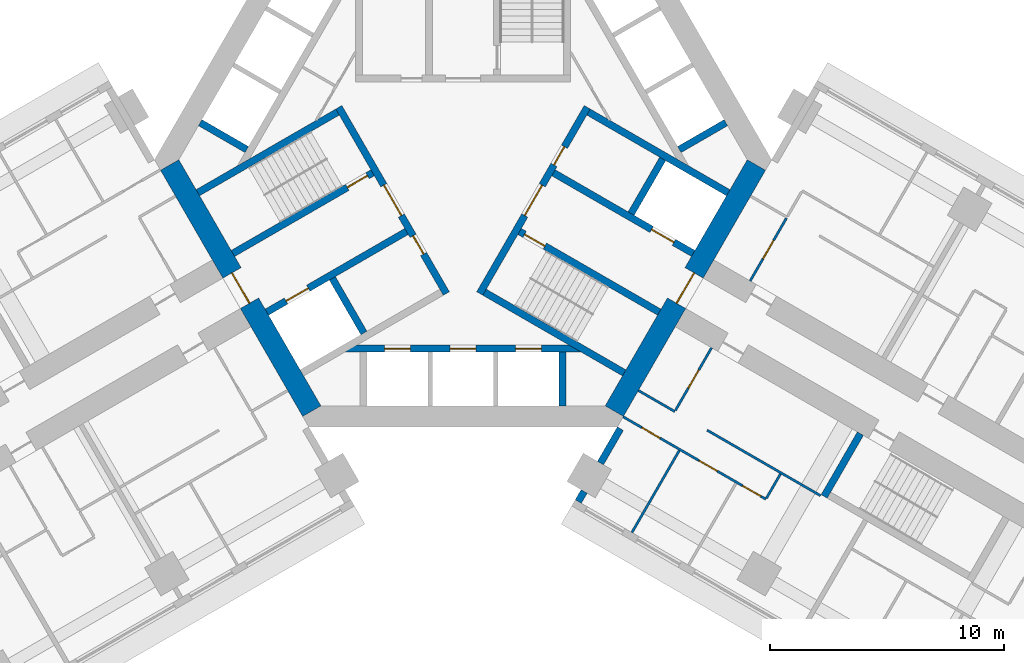
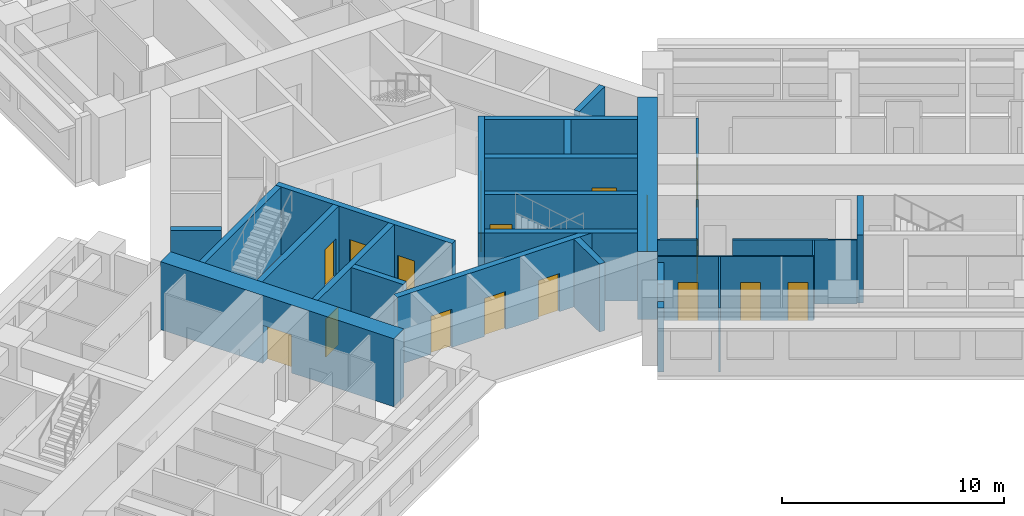
# One storey, part 7 of 16: 27 walls, 18 doors, 18 openings.
"""IFC4 building model written with IfcOpenShell, lengths in metres."""

from ifc_helpers import new_model, si_unit, direction, frame, frame_2d, origin, place, context, subcontext, project, spatial, rectangle, extrude, material, layer, layer_set, type_object, element, fill, save


model = new_model("IFC4")

# Units and contexts
model_context = context("Model", 3, precision=1e-05, world=origin(), true_north=direction((0.0, 1.0)))
body_context = subcontext(model_context, "Body", "Model", "MODEL_VIEW")
ifc_project = project(units=[si_unit("LENGTHUNIT", "METRE"), si_unit("AREAUNIT", "SQUARE_METRE"), si_unit("VOLUMEUNIT", "CUBIC_METRE"), si_unit("PLANEANGLEUNIT", "RADIAN"), si_unit("MASSUNIT", "GRAM", prefix="KILO")], contexts=[model_context])

# Site, building, storey
site_placement = place(None, origin())
site = spatial("IfcSite", under=ifc_project, at=site_placement, CompositionType="ELEMENT")
building_placement = place(site_placement, origin())
building = spatial("IfcBuilding", under=site, at=building_placement, Name="Impinga Residences", CompositionType="ELEMENT")
storey_placement = place(building_placement, frame((0.0, 0.0, 67.25)))
storey = spatial("IfcBuildingStorey", under=building, at=storey_placement, Name="L16", CompositionType="ELEMENT", Elevation=67.25)

# Walls
ifc_material_1 = material(Name="Terracotta rainscreen on blockwork", Category="masonry")
ifc_layer_1 = layer(ifc_material_1, 0.300048828125)
ifc_layer_set_1 = layer_set([ifc_layer_1], Name="EW1 external wall, terracotta rainscreen on blockwork 300")
wall_type_1 = type_object("IfcWallType", Name="EW1 external wall, terracotta rainscreen on blockwork 300", PredefinedType="SOLIDWALL", material=ifc_layer_set_1)
wall_1_placement = place(storey_placement, frame((4.929931640625, -14.624267578125, 0.0), z_axis=(0.0, 0.0, 1.0), x_axis=(0.499919672301, 0.866071776036, 0.0)))
element("IfcWall", 1, at=wall_1_placement, inside=storey, type_object=wall_type_1, Name="External wall EW1 L16", PredefinedType="SOLIDWALL", context=body_context, shape_type="SweptSolid", body=[
    extrude(rectangle(XDim=0.5, YDim=0.300048828125, at=frame_2d((0.25, 0.0))), origin(), (0.0, 0.0, 1.0), 3.530029296875),
])
wall_2_placement = place(storey_placement, frame((5.8798828125, -12.978759765625, 0.0), z_axis=(0.0, 0.0, 1.0), x_axis=(0.500062241894, 0.865989465428, 0.0)))
element("IfcWall", 2, at=wall_2_placement, inside=storey, type_object=wall_type_1, Name="External wall EW1 L16", PredefinedType="SOLIDWALL", context=body_context, shape_type="SweptSolid", body=[
    extrude(rectangle(XDim=1.699951171875, YDim=0.300048828125, at=frame_2d((0.85009765625, 0.0))), origin(), (0.0, 0.0, 1.0), 3.530029296875),
])

# Wall, opening, door
ifc_material_2 = material(Name="Gypsum board on steel studs", Category="steel")
ifc_layer_2 = layer(ifc_material_2, 0.10009765625)
ifc_layer_set_2 = layer_set([ifc_layer_2], Name="Gypsum board on steel studs")
wall_type_2 = type_object("IfcWallType", Name="IP1 partition 100", PredefinedType="PARTITIONING", material=ifc_layer_set_2)
wall_3_placement = place(storey_placement, frame((12.283935546875, -5.186767578125, 0.0), z_axis=(0.0, 0.0, 1.0), x_axis=(0.499967891604, 0.866043940782, 0.0)))
wall_3 = element("IfcWall", 3, at=wall_3_placement, inside=storey, type_object=wall_type_2, Name="Partition L16-EA1:IB1", PredefinedType="PARTITIONING", context=body_context, shape_type="SweptSolid", body=[
    extrude(rectangle(XDim=3.099853515625, YDim=0.10009765625, at=frame_2d((1.5498046875, 0.0))), origin(), (0.0, 0.0, 1.0), 3.530029296875),
])
opening_1_placement = place(wall_3_placement, frame((1.10009765625, 0.0, 0.0)))
opening_1 = element("IfcOpeningElement", 4, at=opening_1_placement, cuts=wall_3, Name="Opening D2", PredefinedType="OPENING", context=body_context, shape_type="SweptSolid", body=[
    extrude(rectangle(XDim=0.89990234375, YDim=2.10009765625, at=frame_2d((0.449951171875, 1.050048828125))), frame((0.0, 0.06005859375, 0.0), z_axis=(0.0, -1.0, 0.0), x_axis=(1.0, 0.0, 0.0)), (0.0, 0.0, 1.0), 0.1201171875),
])
ifc_material_3 = material(Name="Timber door set", Category="wood")
door_type_1 = type_object("IfcDoorType", Name="D2 internal door 900x2100", OperationType="SINGLE_SWING_LEFT", PredefinedType="DOOR", material=ifc_material_3)
door_1_placement = place(opening_1_placement, origin())
door_1 = element("IfcDoor", 5, at=door_1_placement, inside=storey, type_object=door_type_1, Name="Apartment L16-EA1 bathroom door", OperationType="SINGLE_SWING_LEFT", OverallHeight=2.10009765625, OverallWidth=0.89990234375, PredefinedType="DOOR", context=body_context, shape_type="SweptSolid", body=[
    extrude(rectangle(XDim=0.89990234375, YDim=2.10009765625, at=frame_2d((0.449951171875, 1.050048828125))), frame((0.0, 0.02490234375, 0.0), z_axis=(0.0, -1.0, 0.0), x_axis=(1.0, 0.0, 0.0)), (0.0, 0.0, 1.0), 0.050048828125),
])
fill(opening_1, door_1)

# Walls
wall_4_placement = place(storey_placement, frame((7.5, -9.872802734375, 0.0), z_axis=(0.0, 0.0, 1.0), x_axis=(0.866047807691, -0.499961193289, 0.0)))
element("IfcWall", 6, at=wall_4_placement, inside=storey, type_object=wall_type_2, Name="Partition L16-EF1:DIV0", PredefinedType="PARTITIONING", context=body_context, shape_type="SweptSolid", body=[
    extrude(rectangle(XDim=1.800048828125, YDim=0.10009765625, at=frame_2d((0.89990234375, 0.0))), origin(), (0.0, 0.0, 1.0), 3.530029296875),
])
wall_5_placement = place(storey_placement, frame((10.444580078125, -11.57275390625, 0.0), z_axis=(0.0, 0.0, 1.0), x_axis=(0.866015695474, -0.500016814911, 0.0)))
element("IfcWall", 7, at=wall_5_placement, inside=storey, type_object=wall_type_2, Name="Partition L16-EF1:DIV1", PredefinedType="PARTITIONING", context=body_context, shape_type="SweptSolid", body=[
    extrude(rectangle(XDim=5.599853515625, YDim=0.10009765625, at=frame_2d((2.7998046875, 0.0))), origin(), (0.0, 0.0, 1.0), 3.530029296875),
])

# Wall, openings, doors
wall_6_placement = place(storey_placement, frame((6.85009765625, -10.99853515625, 0.0), z_axis=(0.0, 0.0, 1.0), x_axis=(0.866031034943, -0.499990246421, 0.0)))
wall_6 = element("IfcWall", 8, at=wall_6_placement, inside=storey, type_object=wall_type_2, Name="Partition L16-EF1:STRIP", PredefinedType="PARTITIONING", context=body_context, shape_type="SweptSolid", body=[
    extrude(rectangle(XDim=7.050048828125, YDim=0.10009765625, at=frame_2d((3.52490234375, 0.0))), origin(), (0.0, 0.0, 1.0), 3.530029296875),
])
opening_2_placement = place(wall_6_placement, frame((0.925048828125, 0.0, 0.0)))
opening_2 = element("IfcOpeningElement", 9, at=opening_2_placement, cuts=wall_6, Name="Opening D2", PredefinedType="OPENING", context=body_context, shape_type="SweptSolid", body=[
    extrude(rectangle(XDim=0.89990234375, YDim=2.10009765625, at=frame_2d((0.449951171875, 1.050048828125))), frame((0.0, 0.06005859375, 0.0), z_axis=(0.0, -1.0, 0.0), x_axis=(1.0, 0.0, 0.0)), (0.0, 0.0, 1.0), 0.1201171875),
])
opening_3_placement = place(wall_6_placement, frame((3.75, 0.0, 0.0)))
opening_3 = element("IfcOpeningElement", 10, at=opening_3_placement, cuts=wall_6, Name="Opening D2", PredefinedType="OPENING", context=body_context, shape_type="SweptSolid", body=[
    extrude(rectangle(XDim=0.89990234375, YDim=2.10009765625, at=frame_2d((0.449951171875, 1.050048828125))), frame((0.0, 0.06005859375, 0.0), z_axis=(0.0, -1.0, 0.0), x_axis=(1.0, 0.0, 0.0)), (0.0, 0.0, 1.0), 0.1201171875),
])
opening_4_placement = place(wall_6_placement, frame((5.89990234375, 0.0, 0.0)))
opening_4 = element("IfcOpeningElement", 11, at=opening_4_placement, cuts=wall_6, Name="Opening D2", PredefinedType="OPENING", context=body_context, shape_type="SweptSolid", body=[
    extrude(rectangle(XDim=0.89990234375, YDim=2.10009765625, at=frame_2d((0.449951171875, 1.050048828125))), frame((0.0, 0.06005859375, 0.0), z_axis=(0.0, -1.0, 0.0), x_axis=(1.0, 0.0, 0.0)), (0.0, 0.0, 1.0), 0.1201171875),
])
door_2_placement = place(opening_2_placement, origin())
door_2 = element("IfcDoor", 12, at=door_2_placement, inside=storey, type_object=door_type_1, Name="Apartment L16-EF1 room door", OperationType="SINGLE_SWING_LEFT", OverallHeight=2.10009765625, OverallWidth=0.89990234375, PredefinedType="DOOR", context=body_context, shape_type="SweptSolid", body=[
    extrude(rectangle(XDim=0.89990234375, YDim=2.10009765625, at=frame_2d((0.449951171875, 1.050048828125))), frame((0.0, 0.02490234375, 0.0), z_axis=(0.0, -1.0, 0.0), x_axis=(1.0, 0.0, 0.0)), (0.0, 0.0, 1.0), 0.050048828125),
])
fill(opening_2, door_2)
door_3_placement = place(opening_3_placement, origin())
door_3 = element("IfcDoor", 13, at=door_3_placement, inside=storey, type_object=door_type_1, Name="Apartment L16-EF1 room door", OperationType="SINGLE_SWING_RIGHT", OverallHeight=2.10009765625, OverallWidth=0.89990234375, PredefinedType="DOOR", context=body_context, shape_type="SweptSolid", body=[
    extrude(rectangle(XDim=0.89990234375, YDim=2.10009765625, at=frame_2d((0.449951171875, 1.050048828125))), frame((0.0, 0.02490234375, 0.0), z_axis=(0.0, -1.0, 0.0), x_axis=(1.0, 0.0, 0.0)), (0.0, 0.0, 1.0), 0.050048828125),
])
fill(opening_3, door_3)
door_4_placement = place(opening_4_placement, origin())
door_4 = element("IfcDoor", 14, at=door_4_placement, inside=storey, type_object=door_type_1, Name="Apartment L16-EF1 room door", OperationType="SINGLE_SWING_RIGHT", OverallHeight=2.10009765625, OverallWidth=0.89990234375, PredefinedType="DOOR", context=body_context, shape_type="SweptSolid", body=[
    extrude(rectangle(XDim=0.89990234375, YDim=2.10009765625, at=frame_2d((0.449951171875, 1.050048828125))), frame((0.0, 0.02490234375, 0.0), z_axis=(0.0, -1.0, 0.0), x_axis=(1.0, 0.0, 0.0)), (0.0, 0.0, 1.0), 0.050048828125),
])
fill(opening_4, door_4)

# Wall
wall_7_placement = place(storey_placement, frame((13.58056640625, -13.44091796875, 0.0), z_axis=(0.0, 0.0, 1.0), x_axis=(-0.500033551112, -0.866006032174, 0.0)))
element("IfcWall", 15, at=wall_7_placement, inside=storey, type_object=wall_type_2, Name="Partition L16-EF1:SE1", PredefinedType="PARTITIONING", context=body_context, shape_type="SweptSolid", body=[
    extrude(rectangle(XDim=1.2001953125, YDim=0.10009765625, at=frame_2d((0.60009765625, 0.0))), origin(), (0.0, 0.0, 1.0), 3.530029296875),
])

# Wall, opening, door
wall_8_placement = place(storey_placement, frame((10.6337890625, -8.044677734375, 0.0), z_axis=(0.0, 0.0, 1.0), x_axis=(-0.49999285859, -0.86602952684, 0.0)))
wall_8 = element("IfcWall", 16, at=wall_8_placement, inside=storey, type_object=wall_type_2, Name="Partition L16-EF1:IB1", PredefinedType="PARTITIONING", context=body_context, shape_type="SweptSolid", body=[
    extrude(rectangle(XDim=3.10009765625, YDim=0.10009765625, at=frame_2d((1.550048828125, 0.0))), origin(), (0.0, 0.0, 1.0), 3.530029296875),
])
opening_5_placement = place(wall_8_placement, frame((1.10009765625, 0.0, 0.0)))
opening_5 = element("IfcOpeningElement", 17, at=opening_5_placement, cuts=wall_8, Name="Opening D2", PredefinedType="OPENING", context=body_context, shape_type="SweptSolid", body=[
    extrude(rectangle(XDim=0.89990234375, YDim=2.10009765625, at=frame_2d((0.449951171875, 1.050048828125))), frame((0.0, 0.06005859375, 0.0), z_axis=(0.0, -1.0, 0.0), x_axis=(1.0, 0.0, 0.0)), (0.0, 0.0, 1.0), 0.1201171875),
])
door_5_placement = place(opening_5_placement, origin())
door_5 = element("IfcDoor", 18, at=door_5_placement, inside=storey, type_object=door_type_1, Name="Apartment L16-EF1 bathroom door", OperationType="SINGLE_SWING_LEFT", OverallHeight=2.10009765625, OverallWidth=0.89990234375, PredefinedType="DOOR", context=body_context, shape_type="SweptSolid", body=[
    extrude(rectangle(XDim=0.89990234375, YDim=2.10009765625, at=frame_2d((0.449951171875, 1.050048828125))), frame((0.0, 0.02490234375, 0.0), z_axis=(0.0, -1.0, 0.0), x_axis=(1.0, 0.0, 0.0)), (0.0, 0.0, 1.0), 0.050048828125),
])
fill(opening_5, door_5)

# Walls
wall_9_placement = place(storey_placement, frame((9.249755859375, -12.44189453125, 0.0), z_axis=(0.0, 0.0, 1.0), x_axis=(-0.499990325971, -0.866030989016, 0.0)))
element("IfcWall", 19, at=wall_9_placement, inside=storey, type_object=wall_type_2, Name="Partition L16-EF1:OB1", PredefinedType="PARTITIONING", context=body_context, shape_type="SweptSolid", body=[
    extrude(rectangle(XDim=4.0498046875, YDim=0.10009765625, at=frame_2d((2.02490234375, 0.0))), origin(), (0.0, 0.0, 1.0), 3.530029296875),
])
ifc_material_4 = material(Name="Concrete C60/75", Category="concrete")
ifc_layer_3 = layer(ifc_material_4, 0.300048828125)
ifc_layer_set_3 = layer_set([ifc_layer_3], Name="Concrete C60/75")
wall_type_3 = type_object("IfcWallType", Name="SE1 wing stair enclosure wall 300", PredefinedType="SOLIDWALL", material=ifc_layer_set_3)
wall_10_placement = place(storey_placement, frame((16.9990234375, -11.7197265625, 0.0), z_axis=(0.0, 0.0, 1.0), x_axis=(-0.499967891604, -0.866043940782, 0.0)))
element("IfcWall", 20, at=wall_10_placement, inside=storey, type_object=wall_type_3, Name="Stair enclosure wall SE1 E END0 L16", PredefinedType="SOLIDWALL", context=body_context, shape_type="SweptSolid", body=[
    extrude(rectangle(XDim=3.099853515625, YDim=0.300048828125, at=frame_2d((1.5498046875, 0.0))), origin(), (0.0, 0.0, 1.0), 3.75),
])

# Wall, opening, door
ifc_material_5 = material(Name="Concrete C70/85", Category="concrete")
ifc_layer_4 = layer(ifc_material_5, 0.89990234375)
ifc_layer_set_4 = layer_set([ifc_layer_4], Name="Concrete C70/85")
wall_type_4 = type_object("IfcWallType", Name="SW1 core wall 900", PredefinedType="SHEAR", material=ifc_layer_set_4)
wall_11_placement = place(storey_placement, frame((-6.47021484375, -10.756591796875, 0.0), z_axis=(0.0, 0.0, 1.0), x_axis=(-0.499997612506, 0.8660267822, 0.0)))
wall_11 = element("IfcWall", 21, at=wall_11_placement, inside=storey, type_object=wall_type_4, Name="Core wall SW1 W:FACE L16", PredefinedType="SHEAR", context=body_context, shape_type="SweptSolid", body=[
    extrude(rectangle(XDim=12.16064453125, YDim=0.89990234375, at=frame_2d((6.080322265625, 0.0))), origin(), (0.0, 0.0, 1.0), 3.75),
])
opening_6_placement = place(wall_11_placement, frame((5.330322265625, 0.0, 0.0)))
opening_6 = element("IfcOpeningElement", 22, at=opening_6_placement, cuts=wall_11, Name="Opening D4", PredefinedType="OPENING", context=body_context, shape_type="SweptSolid", body=[
    extrude(rectangle(XDim=1.5, YDim=2.10009765625, at=frame_2d((0.75, 1.050048828125))), frame((0.0, 0.4599609375, 0.0), z_axis=(0.0, -1.0, 0.0), x_axis=(1.0, 0.0, 0.0)), (0.0, 0.0, 1.0), 0.919921875),
])
door_type_2 = type_object("IfcDoorType", Name="D4 lobby door pair 1500x2100", OperationType="DOUBLE_DOOR_DOUBLE_SWING", PredefinedType="DOOR", material=ifc_material_3)
door_6_placement = place(opening_6_placement, origin())
door_6 = element("IfcDoor", 23, at=door_6_placement, inside=storey, type_object=door_type_2, Name="Lobby door W", OperationType="DOUBLE_DOOR_DOUBLE_SWING", OverallHeight=2.10009765625, OverallWidth=1.5, PredefinedType="DOOR", context=body_context, shape_type="SweptSolid", body=[
    extrude(rectangle(XDim=1.5, YDim=2.10009765625, at=frame_2d((0.75, 1.050048828125))), frame((0.0, 0.02490234375, 0.0), z_axis=(0.0, -1.0, 0.0), x_axis=(1.0, 0.0, 0.0)), (0.0, 0.0, 1.0), 0.050048828125),
])
fill(opening_6, door_6)

wall_12_placement = place(storey_placement, frame((12.550537109375, -0.22509765625, 0.0), z_axis=(0.0, 0.0, 1.0), x_axis=(-0.499997612506, -0.8660267822, 0.0)))
wall_12 = element("IfcWall", 24, at=wall_12_placement, inside=storey, type_object=wall_type_4, Name="Core wall SW1 E:FACE L16", PredefinedType="SHEAR", context=body_context, shape_type="SweptSolid", body=[
    extrude(rectangle(XDim=12.16064453125, YDim=0.89990234375, at=frame_2d((6.080322265625, 0.0))), origin(), (0.0, 0.0, 1.0), 3.75),
])
opening_7_placement = place(wall_12_placement, frame((5.330322265625, 0.0, 0.0)))
opening_7 = element("IfcOpeningElement", 25, at=opening_7_placement, cuts=wall_12, Name="Opening D4", PredefinedType="OPENING", context=body_context, shape_type="SweptSolid", body=[
    extrude(rectangle(XDim=1.5, YDim=2.10009765625, at=frame_2d((0.75, 1.050048828125))), frame((0.0, 0.4599609375, 0.0), z_axis=(0.0, -1.0, 0.0), x_axis=(1.0, 0.0, 0.0)), (0.0, 0.0, 1.0), 0.919921875),
])
door_7_placement = place(opening_7_placement, origin())
door_7 = element("IfcDoor", 26, at=door_7_placement, inside=storey, type_object=door_type_2, Name="Lobby door E", OperationType="DOUBLE_DOOR_DOUBLE_SWING", OverallHeight=2.10009765625, OverallWidth=1.5, PredefinedType="DOOR", context=body_context, shape_type="SweptSolid", body=[
    extrude(rectangle(XDim=1.5, YDim=2.10009765625, at=frame_2d((0.75, 1.050048828125))), frame((0.0, 0.02490234375, 0.0), z_axis=(0.0, -1.0, 0.0), x_axis=(1.0, 0.0, 0.0)), (0.0, 0.0, 1.0), 0.050048828125),
])
fill(opening_7, door_7)

# Wall, openings, doors
ifc_layer_5 = layer(ifc_material_5, 0.300048828125)
ifc_layer_set_5 = layer_set([ifc_layer_5], Name="Concrete C70/85")
wall_type_5 = type_object("IfcWallType", Name="SW5 core inner wall, stairs, shafts and lobbies 300", PredefinedType="SHEAR", material=ifc_layer_set_5)
wall_13_placement = place(storey_placement, frame((-0.7138671875, -5.7236328125, 0.0), z_axis=(0.0, 0.0, 1.0), x_axis=(-0.499995050369, 0.866028261437, 0.0)))
wall_13 = element("IfcWall", 27, at=wall_13_placement, inside=storey, type_object=wall_type_5, Name="Core wall SW5 W:ZONE L16", PredefinedType="SHEAR", context=body_context, shape_type="SweptSolid", body=[
    extrude(rectangle(XDim=9.19970703125, YDim=0.300048828125, at=frame_2d((4.599853515625, 0.0))), origin(), (0.0, 0.0, 1.0), 3.75),
])
opening_8_placement = place(wall_13_placement, frame((3.85009765625, 0.0, 0.0)))
opening_8 = element("IfcOpeningElement", 28, at=opening_8_placement, cuts=wall_13, Name="Opening D4", PredefinedType="OPENING", context=body_context, shape_type="SweptSolid", body=[
    extrude(rectangle(XDim=1.5, YDim=2.10009765625, at=frame_2d((0.75, 1.050048828125))), frame((0.0, 0.159912109375, 0.0), z_axis=(0.0, -1.0, 0.0), x_axis=(1.0, 0.0, 0.0)), (0.0, 0.0, 1.0), 0.320068359375),
])
opening_9_placement = place(wall_13_placement, frame((1.949951171875, 0.0, 0.0)))
opening_9 = element("IfcOpeningElement", 29, at=opening_9_placement, cuts=wall_13, Name="Opening D6", PredefinedType="OPENING", context=body_context, shape_type="SweptSolid", body=[
    extrude(rectangle(XDim=0.89990234375, YDim=2.10009765625, at=frame_2d((0.449951171875, 1.050048828125))), frame((0.0, 0.159912109375, 0.0), z_axis=(0.0, -1.0, 0.0), x_axis=(1.0, 0.0, 0.0)), (0.0, 0.0, 1.0), 0.320068359375),
])
door_8_placement = place(opening_8_placement, origin())
door_8 = element("IfcDoor", 30, at=door_8_placement, inside=storey, type_object=door_type_2, Name="Firefighting lobby door W", OperationType="DOUBLE_DOOR_DOUBLE_SWING", OverallHeight=2.10009765625, OverallWidth=1.5, PredefinedType="DOOR", context=body_context, shape_type="SweptSolid", body=[
    extrude(rectangle(XDim=1.5, YDim=2.10009765625, at=frame_2d((0.75, 1.050048828125))), frame((0.0, 0.02490234375, 0.0), z_axis=(0.0, -1.0, 0.0), x_axis=(1.0, 0.0, 0.0)), (0.0, 0.0, 1.0), 0.050048828125),
])
fill(opening_8, door_8)
door_type_3 = type_object("IfcDoorType", Name="D6 riser and store door 900x2100", OperationType="SINGLE_SWING_LEFT", PredefinedType="DOOR", material=ifc_material_3)
door_9_placement = place(opening_9_placement, origin())
door_9 = element("IfcDoor", 31, at=door_9_placement, inside=storey, type_object=door_type_3, Name="Riser door W", OperationType="SINGLE_SWING_LEFT", OverallHeight=2.10009765625, OverallWidth=0.89990234375, PredefinedType="DOOR", context=body_context, shape_type="SweptSolid", body=[
    extrude(rectangle(XDim=0.89990234375, YDim=2.10009765625, at=frame_2d((0.449951171875, 1.050048828125))), frame((0.0, 0.02490234375, 0.0), z_axis=(0.0, -1.0, 0.0), x_axis=(1.0, 0.0, 0.0)), (0.0, 0.0, 1.0), 0.050048828125),
])
fill(opening_9, door_9)

# Wall, opening, door
wall_14_placement = place(storey_placement, frame((-3.86865234375, -0.559326171875, 0.0), z_axis=(0.0, 0.0, 1.0), x_axis=(-0.86602711848, -0.499997030048, 0.0)))
wall_14 = element("IfcWall", 32, at=wall_14_placement, inside=storey, type_object=wall_type_5, Name="Core wall SW5 W:ST-IN L16", PredefinedType="SHEAR", context=body_context, shape_type="SweptSolid", body=[
    extrude(rectangle(XDim=6.9013671875, YDim=0.300048828125, at=frame_2d((3.45068359375, 0.0))), origin(), (0.0, 0.0, 1.0), 3.75),
])
opening_10_placement = place(wall_14_placement, frame((0.25, 0.0, 0.0)))
opening_10 = element("IfcOpeningElement", 33, at=opening_10_placement, cuts=wall_14, Name="Opening D5", PredefinedType="OPENING", context=body_context, shape_type="SweptSolid", body=[
    extrude(rectangle(XDim=1.0, YDim=2.10009765625, at=frame_2d((0.5, 1.050048828125))), frame((0.0, 0.159912109375, 0.0), z_axis=(0.0, -1.0, 0.0), x_axis=(1.0, 0.0, 0.0)), (0.0, 0.0, 1.0), 0.320068359375),
])
door_type_4 = type_object("IfcDoorType", Name="D5 stair door 1000x2100", OperationType="SINGLE_SWING_LEFT", PredefinedType="DOOR", material=ifc_material_3)
door_10_placement = place(opening_10_placement, origin())
door_10 = element("IfcDoor", 34, at=door_10_placement, inside=storey, type_object=door_type_4, Name="Stair door W", OperationType="SINGLE_SWING_LEFT", OverallHeight=2.10009765625, OverallWidth=1.0, PredefinedType="DOOR", context=body_context, shape_type="SweptSolid", body=[
    extrude(rectangle(XDim=1.0, YDim=2.10009765625, at=frame_2d((0.5, 1.050048828125))), frame((0.0, 0.02490234375, 0.0), z_axis=(0.0, -1.0, 0.0), x_axis=(1.0, 0.0, 0.0)), (0.0, 0.0, 1.0), 0.050048828125),
])
fill(opening_10, door_10)

# Wall
wall_15_placement = place(storey_placement, frame((-5.36865234375, 2.038818359375, 0.0), z_axis=(0.0, 0.0, 1.0), x_axis=(-0.86602711848, -0.499997030048, 0.0)))
element("IfcWall", 35, at=wall_15_placement, inside=storey, type_object=wall_type_5, Name="Core wall SW5 W:ST-OUT L16", PredefinedType="SHEAR", context=body_context, shape_type="SweptSolid", body=[
    extrude(rectangle(XDim=6.9013671875, YDim=0.300048828125, at=frame_2d((3.45068359375, 0.0))), origin(), (0.0, 0.0, 1.0), 3.75),
])

# Wall, opening, door
wall_16_placement = place(storey_placement, frame((-2.418701171875, -3.07080078125, 0.0), z_axis=(0.0, 0.0, 1.0), x_axis=(-0.86602711848, -0.499997030048, 0.0)))
wall_16 = element("IfcWall", 36, at=wall_16_placement, inside=storey, type_object=wall_type_5, Name="Core wall SW5 W:FF-IN L16", PredefinedType="SHEAR", context=body_context, shape_type="SweptSolid", body=[
    extrude(rectangle(XDim=6.9013671875, YDim=0.300048828125, at=frame_2d((3.45068359375, 0.0))), origin(), (0.0, 0.0, 1.0), 3.75),
])
opening_11_placement = place(wall_16_placement, frame((4.85009765625, 0.0, 0.0)))
opening_11 = element("IfcOpeningElement", 37, at=opening_11_placement, cuts=wall_16, Name="Opening LD2", PredefinedType="OPENING", context=body_context, shape_type="SweptSolid", body=[
    extrude(rectangle(XDim=1.10009765625, YDim=2.10009765625, at=frame_2d((0.550048828125, 1.050048828125))), frame((0.0, 0.159912109375, 0.0), z_axis=(0.0, -1.0, 0.0), x_axis=(1.0, 0.0, 0.0)), (0.0, 0.0, 1.0), 0.320068359375),
])
ifc_material_6 = material(Name="Steel lift landing door", Category="steel")
door_type_5 = type_object("IfcDoorType", Name="LD2 firefighting lift landing door 1100x2100", OperationType="DOUBLE_DOOR_SLIDING", PredefinedType="DOOR", material=ifc_material_6)
door_11_placement = place(opening_11_placement, origin())
door_11 = element("IfcDoor", 38, at=door_11_placement, inside=storey, type_object=door_type_5, Name="Firefighting lift landing door F2", OperationType="DOUBLE_DOOR_SLIDING", OverallHeight=2.10009765625, OverallWidth=1.10009765625, PredefinedType="DOOR", context=body_context, shape_type="SweptSolid", body=[
    extrude(rectangle(XDim=1.10009765625, YDim=2.10009765625, at=frame_2d((0.550048828125, 1.050048828125))), frame((0.0, 0.02490234375, 0.0), z_axis=(0.0, -1.0, 0.0), x_axis=(1.0, 0.0, 0.0)), (0.0, 0.0, 1.0), 0.050048828125),
])
fill(opening_11, door_11)

# Wall
wall_17_placement = place(storey_placement, frame((-4.2412109375, -7.413818359375, 0.0), z_axis=(0.0, 0.0, 1.0), x_axis=(-0.500048589285, 0.86599734893, 0.0)))
element("IfcWall", 39, at=wall_17_placement, inside=storey, type_object=wall_type_5, Name="Core wall SW5 W:FF-RS L16", PredefinedType="SHEAR", context=body_context, shape_type="SweptSolid", body=[
    extrude(rectangle(XDim=2.699951171875, YDim=0.300048828125, at=frame_2d((1.35009765625, 0.0))), origin(), (0.0, 0.0, 1.0), 3.75),
])

# Wall, openings, doors
wall_18_placement = place(storey_placement, frame((5.313720703125, 2.24365234375, 0.0), z_axis=(0.0, 0.0, 1.0), x_axis=(-0.499995050369, -0.866028261437, 0.0)))
wall_18 = element("IfcWall", 40, at=wall_18_placement, inside=storey, type_object=wall_type_5, Name="Core wall SW5 E:ZONE L16", PredefinedType="SHEAR", context=body_context, shape_type="SweptSolid", body=[
    extrude(rectangle(XDim=9.19970703125, YDim=0.300048828125, at=frame_2d((4.599853515625, 0.0))), origin(), (0.0, 0.0, 1.0), 3.75),
])
opening_12_placement = place(wall_18_placement, frame((3.85009765625, 0.0, 0.0)))
opening_12 = element("IfcOpeningElement", 41, at=opening_12_placement, cuts=wall_18, Name="Opening D4", PredefinedType="OPENING", context=body_context, shape_type="SweptSolid", body=[
    extrude(rectangle(XDim=1.5, YDim=2.10009765625, at=frame_2d((0.75, 1.050048828125))), frame((0.0, 0.159912109375, 0.0), z_axis=(0.0, -1.0, 0.0), x_axis=(1.0, 0.0, 0.0)), (0.0, 0.0, 1.0), 0.320068359375),
])
opening_13_placement = place(wall_18_placement, frame((1.949951171875, 0.0, 0.0)))
opening_13 = element("IfcOpeningElement", 42, at=opening_13_placement, cuts=wall_18, Name="Opening D6", PredefinedType="OPENING", context=body_context, shape_type="SweptSolid", body=[
    extrude(rectangle(XDim=0.89990234375, YDim=2.10009765625, at=frame_2d((0.449951171875, 1.050048828125))), frame((0.0, 0.159912109375, 0.0), z_axis=(0.0, -1.0, 0.0), x_axis=(1.0, 0.0, 0.0)), (0.0, 0.0, 1.0), 0.320068359375),
])
door_12_placement = place(opening_12_placement, origin())
door_12 = element("IfcDoor", 43, at=door_12_placement, inside=storey, type_object=door_type_2, Name="Firefighting lobby door E", OperationType="DOUBLE_DOOR_DOUBLE_SWING", OverallHeight=2.10009765625, OverallWidth=1.5, PredefinedType="DOOR", context=body_context, shape_type="SweptSolid", body=[
    extrude(rectangle(XDim=1.5, YDim=2.10009765625, at=frame_2d((0.75, 1.050048828125))), frame((0.0, 0.02490234375, 0.0), z_axis=(0.0, -1.0, 0.0), x_axis=(1.0, 0.0, 0.0)), (0.0, 0.0, 1.0), 0.050048828125),
])
fill(opening_12, door_12)
door_13_placement = place(opening_13_placement, origin())
door_13 = element("IfcDoor", 44, at=door_13_placement, inside=storey, type_object=door_type_3, Name="Riser door E", OperationType="SINGLE_SWING_LEFT", OverallHeight=2.10009765625, OverallWidth=0.89990234375, PredefinedType="DOOR", context=body_context, shape_type="SweptSolid", body=[
    extrude(rectangle(XDim=0.89990234375, YDim=2.10009765625, at=frame_2d((0.449951171875, 1.050048828125))), frame((0.0, 0.02490234375, 0.0), z_axis=(0.0, -1.0, 0.0), x_axis=(1.0, 0.0, 0.0)), (0.0, 0.0, 1.0), 0.050048828125),
])
fill(opening_13, door_13)

# Wall, opening, door
wall_19_placement = place(storey_placement, frame((2.418701171875, -3.07080078125, 0.0), z_axis=(0.0, 0.0, 1.0), x_axis=(0.86602711848, -0.499997030048, 0.0)))
wall_19 = element("IfcWall", 45, at=wall_19_placement, inside=storey, type_object=wall_type_5, Name="Core wall SW5 E:ST-IN L16", PredefinedType="SHEAR", context=body_context, shape_type="SweptSolid", body=[
    extrude(rectangle(XDim=6.9013671875, YDim=0.300048828125, at=frame_2d((3.45068359375, 0.0))), origin(), (0.0, 0.0, 1.0), 3.75),
])
opening_14_placement = place(wall_19_placement, frame((0.25, 0.0, 0.0)))
opening_14 = element("IfcOpeningElement", 46, at=opening_14_placement, cuts=wall_19, Name="Opening D5", PredefinedType="OPENING", context=body_context, shape_type="SweptSolid", body=[
    extrude(rectangle(XDim=1.0, YDim=2.10009765625, at=frame_2d((0.5, 1.050048828125))), frame((0.0, 0.159912109375, 0.0), z_axis=(0.0, -1.0, 0.0), x_axis=(1.0, 0.0, 0.0)), (0.0, 0.0, 1.0), 0.320068359375),
])
door_14_placement = place(opening_14_placement, origin())
door_14 = element("IfcDoor", 47, at=door_14_placement, inside=storey, type_object=door_type_4, Name="Stair door E", OperationType="SINGLE_SWING_LEFT", OverallHeight=2.10009765625, OverallWidth=1.0, PredefinedType="DOOR", context=body_context, shape_type="SweptSolid", body=[
    extrude(rectangle(XDim=1.0, YDim=2.10009765625, at=frame_2d((0.5, 1.050048828125))), frame((0.0, 0.02490234375, 0.0), z_axis=(0.0, -1.0, 0.0), x_axis=(1.0, 0.0, 0.0)), (0.0, 0.0, 1.0), 0.050048828125),
])
fill(opening_14, door_14)

# Wall
wall_20_placement = place(storey_placement, frame((0.918701171875, -5.668701171875, 0.0), z_axis=(0.0, 0.0, 1.0), x_axis=(0.866011800373, -0.500023561059, 0.0)))
element("IfcWall", 48, at=wall_20_placement, inside=storey, type_object=wall_type_5, Name="Core wall SW5 E:ST-OUT L16", PredefinedType="SHEAR", context=body_context, shape_type="SweptSolid", body=[
    extrude(rectangle(XDim=6.901611328125, YDim=0.300048828125, at=frame_2d((3.45068359375, 0.0))), origin(), (0.0, 0.0, 1.0), 3.75),
])

# Wall, opening, door
wall_21_placement = place(storey_placement, frame((3.86865234375, -0.559326171875, 0.0), z_axis=(0.0, 0.0, 1.0), x_axis=(0.86602711848, -0.499997030048, 0.0)))
wall_21 = element("IfcWall", 49, at=wall_21_placement, inside=storey, type_object=wall_type_5, Name="Core wall SW5 E:FF-IN L16", PredefinedType="SHEAR", context=body_context, shape_type="SweptSolid", body=[
    extrude(rectangle(XDim=6.9013671875, YDim=0.300048828125, at=frame_2d((3.45068359375, 0.0))), origin(), (0.0, 0.0, 1.0), 3.75),
])
opening_15_placement = place(wall_21_placement, frame((4.85009765625, 0.0, 0.0)))
opening_15 = element("IfcOpeningElement", 50, at=opening_15_placement, cuts=wall_21, Name="Opening LD2", PredefinedType="OPENING", context=body_context, shape_type="SweptSolid", body=[
    extrude(rectangle(XDim=1.10009765625, YDim=2.10009765625, at=frame_2d((0.550048828125, 1.050048828125))), frame((0.0, 0.159912109375, 0.0), z_axis=(0.0, -1.0, 0.0), x_axis=(1.0, 0.0, 0.0)), (0.0, 0.0, 1.0), 0.320068359375),
])
door_15_placement = place(opening_15_placement, origin())
door_15 = element("IfcDoor", 51, at=door_15_placement, inside=storey, type_object=door_type_5, Name="Firefighting lift landing door F3", OperationType="DOUBLE_DOOR_SLIDING", OverallHeight=2.10009765625, OverallWidth=1.10009765625, PredefinedType="DOOR", context=body_context, shape_type="SweptSolid", body=[
    extrude(rectangle(XDim=1.10009765625, YDim=2.10009765625, at=frame_2d((0.550048828125, 1.050048828125))), frame((0.0, 0.02490234375, 0.0), z_axis=(0.0, -1.0, 0.0), x_axis=(1.0, 0.0, 0.0)), (0.0, 0.0, 1.0), 0.050048828125),
])
fill(opening_15, door_15)

# Walls
wall_22_placement = place(storey_placement, frame((5.36865234375, 2.038818359375, 0.0), z_axis=(0.0, 0.0, 1.0), x_axis=(0.86602711848, -0.499997030048, 0.0)))
element("IfcWall", 52, at=wall_22_placement, inside=storey, type_object=wall_type_5, Name="Core wall SW5 E:FF-OUT L16", PredefinedType="SHEAR", context=body_context, shape_type="SweptSolid", body=[
    extrude(rectangle(XDim=6.9013671875, YDim=0.300048828125, at=frame_2d((3.45068359375, 0.0))), origin(), (0.0, 0.0, 1.0), 3.75),
])
wall_23_placement = place(storey_placement, frame((8.541259765625, 0.033935546875, 0.0), z_axis=(0.0, 0.0, 1.0), x_axis=(-0.50000943426, -0.866019956843, 0.0)))
element("IfcWall", 53, at=wall_23_placement, inside=storey, type_object=wall_type_5, Name="Core wall SW5 E:FF-RS L16", PredefinedType="SHEAR", context=body_context, shape_type="SweptSolid", body=[
    extrude(rectangle(XDim=2.7001953125, YDim=0.300048828125, at=frame_2d((1.35009765625, 0.0))), origin(), (0.0, 0.0, 1.0), 3.75),
])

# Wall, openings, doors
wall_24_placement = place(storey_placement, frame((5.09765625, -8.08154296875, 0.0), z_axis=(0.0, 0.0, 1.0), x_axis=(-1.0, 0.0, 0.0)))
wall_24 = element("IfcWall", 54, at=wall_24_placement, inside=storey, type_object=wall_type_5, Name="Core wall SW5 N:BANK-FRONT L16", PredefinedType="SHEAR", context=body_context, shape_type="SweptSolid", body=[
    extrude(rectangle(XDim=10.1953125, YDim=0.300048828125, at=frame_2d((5.09765625, 0.0))), origin(), (0.0, 0.0, 1.0), 3.75),
])
opening_16_placement = place(wall_24_placement, frame((1.74755859375, 0.0, 0.0)))
opening_16 = element("IfcOpeningElement", 55, at=opening_16_placement, cuts=wall_24, Name="Opening LD1", PredefinedType="OPENING", context=body_context, shape_type="SweptSolid", body=[
    extrude(rectangle(XDim=1.10009765625, YDim=2.10009765625, at=frame_2d((0.550048828125, 1.050048828125))), frame((0.0, 0.159912109375, 0.0), z_axis=(0.0, -1.0, 0.0), x_axis=(1.0, 0.0, 0.0)), (0.0, 0.0, 1.0), 0.320068359375),
])
opening_17_placement = place(wall_24_placement, frame((4.547607421875, 0.0, 0.0)))
opening_17 = element("IfcOpeningElement", 56, at=opening_17_placement, cuts=wall_24, Name="Opening LD1", PredefinedType="OPENING", context=body_context, shape_type="SweptSolid", body=[
    extrude(rectangle(XDim=1.10009765625, YDim=2.10009765625, at=frame_2d((0.550048828125, 1.050048828125))), frame((0.0, 0.159912109375, 0.0), z_axis=(0.0, -1.0, 0.0), x_axis=(1.0, 0.0, 0.0)), (0.0, 0.0, 1.0), 0.320068359375),
])
opening_18_placement = place(wall_24_placement, frame((7.34765625, 0.0, 0.0)))
opening_18 = element("IfcOpeningElement", 57, at=opening_18_placement, cuts=wall_24, Name="Opening LD1", PredefinedType="OPENING", context=body_context, shape_type="SweptSolid", body=[
    extrude(rectangle(XDim=1.10009765625, YDim=2.10009765625, at=frame_2d((0.550048828125, 1.050048828125))), frame((0.0, 0.159912109375, 0.0), z_axis=(0.0, -1.0, 0.0), x_axis=(1.0, 0.0, 0.0)), (0.0, 0.0, 1.0), 0.320068359375),
])
door_type_6 = type_object("IfcDoorType", Name="LD1 passenger lift landing door 1100x2100", OperationType="DOUBLE_DOOR_SLIDING", PredefinedType="DOOR", material=ifc_material_6)
door_16_placement = place(opening_16_placement, origin())
door_16 = element("IfcDoor", 58, at=door_16_placement, inside=storey, type_object=door_type_6, Name="Lift landing door P1", OperationType="DOUBLE_DOOR_SLIDING", OverallHeight=2.10009765625, OverallWidth=1.10009765625, PredefinedType="DOOR", context=body_context, shape_type="SweptSolid", body=[
    extrude(rectangle(XDim=1.10009765625, YDim=2.10009765625, at=frame_2d((0.550048828125, 1.050048828125))), frame((0.0, 0.02490234375, 0.0), z_axis=(0.0, -1.0, 0.0), x_axis=(1.0, 0.0, 0.0)), (0.0, 0.0, 1.0), 0.050048828125),
])
fill(opening_16, door_16)
door_17_placement = place(opening_17_placement, origin())
door_17 = element("IfcDoor", 59, at=door_17_placement, inside=storey, type_object=door_type_6, Name="Lift landing door P2", OperationType="DOUBLE_DOOR_SLIDING", OverallHeight=2.10009765625, OverallWidth=1.10009765625, PredefinedType="DOOR", context=body_context, shape_type="SweptSolid", body=[
    extrude(rectangle(XDim=1.10009765625, YDim=2.10009765625, at=frame_2d((0.550048828125, 1.050048828125))), frame((0.0, 0.02490234375, 0.0), z_axis=(0.0, -1.0, 0.0), x_axis=(1.0, 0.0, 0.0)), (0.0, 0.0, 1.0), 0.050048828125),
])
fill(opening_17, door_17)
door_18_placement = place(opening_18_placement, origin())
door_18 = element("IfcDoor", 60, at=door_18_placement, inside=storey, type_object=door_type_6, Name="Lift landing door P3", OperationType="DOUBLE_DOOR_SLIDING", OverallHeight=2.10009765625, OverallWidth=1.10009765625, PredefinedType="DOOR", context=body_context, shape_type="SweptSolid", body=[
    extrude(rectangle(XDim=1.10009765625, YDim=2.10009765625, at=frame_2d((0.550048828125, 1.050048828125))), frame((0.0, 0.02490234375, 0.0), z_axis=(0.0, -1.0, 0.0), x_axis=(1.0, 0.0, 0.0)), (0.0, 0.0, 1.0), 0.050048828125),
])
fill(opening_18, door_18)

# Walls
for number, where, z_axis, x_axis, name in (
    (61, (4.25, -8.2314453125, 0.0), (0.0, 0.0, 1.0), (0.0, -1.0, 0.0), "Core wall SW5 N:BANK-L L16"),
    (62, (9.253662109375, 0.43505859375, 0.0), (0.0, 0.0, 1.0), (0.866007057882, 0.500031774688, 0.0), "Core wall SW5 W:BANK-R L16"),
    (63, (-9.253662109375, 0.43505859375, 0.0), (0.0, 0.0, 1.0), (-0.866007057882, 0.500031774688, 0.0), "Core wall SW5 E:BANK-L L16"),
):
    element("IfcWall", number, at=place(storey_placement, frame(where, z_axis=z_axis, x_axis=x_axis)), inside=storey, type_object=wall_type_5, Name=name, PredefinedType="SHEAR", context=body_context, shape_type="SweptSolid", body=[
        extrude(rectangle(XDim=2.300048828125, YDim=0.300048828125, at=frame_2d((1.14990234375, 0.0))), origin(), (0.0, 0.0, 1.0), 3.75),
    ])

save(model, "model.ifc")
